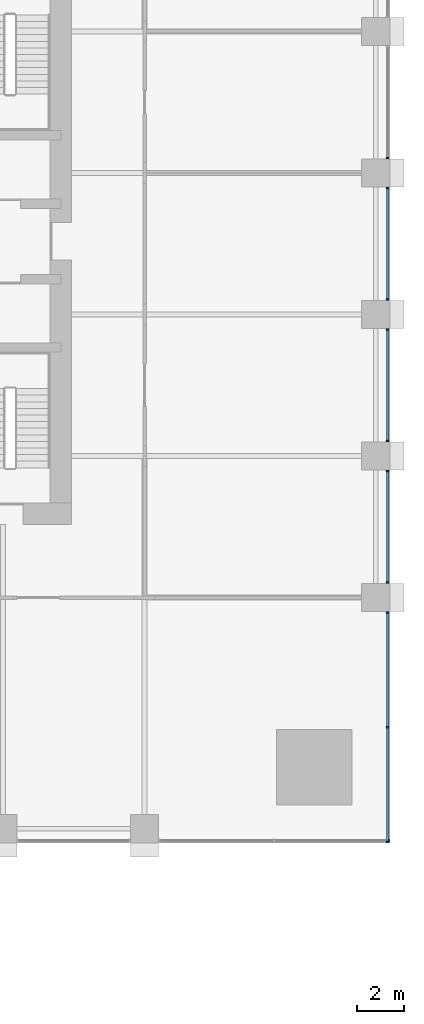
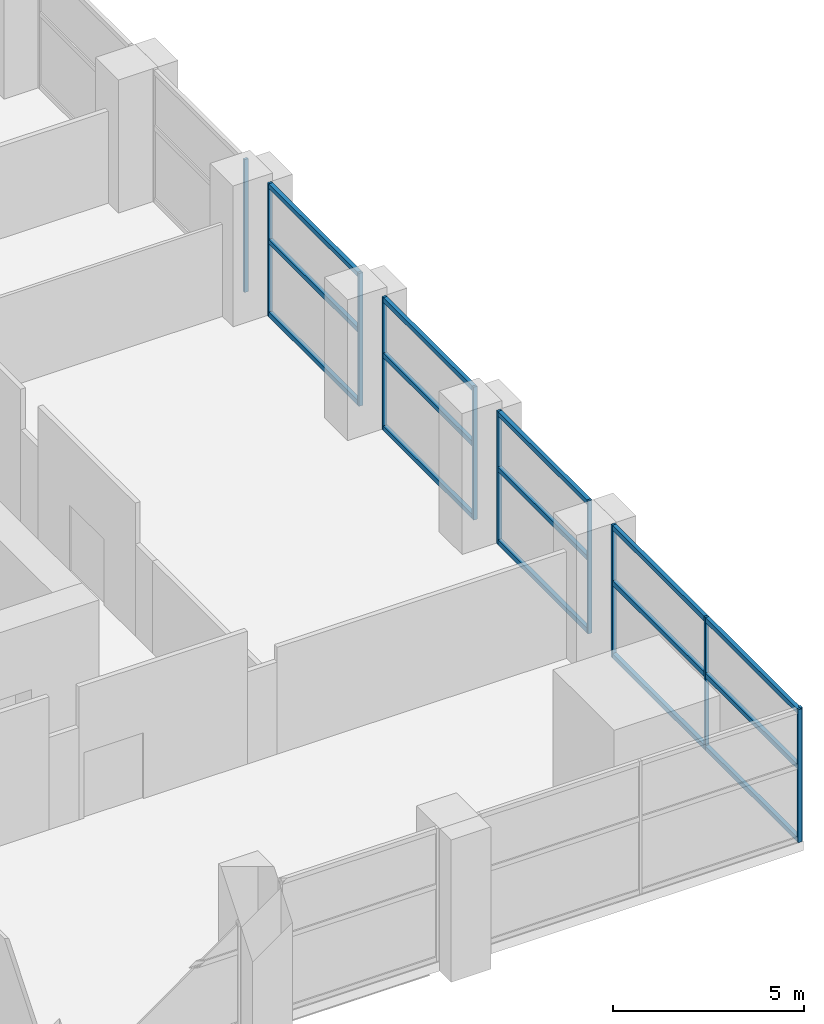
# One storey, part 6 of 24: 26 members, 6 elements without a shape of their own.
"""IFC4 building model written with IfcOpenShell, lengths in metres."""

from ifc_helpers import new_model, si_unit, direction, frame, origin, origin_2d, place, context, subcontext, project, spatial, rectangle, extrude, material, material_profile, profile_set, type_object, element, aggregate, save


model = new_model("IFC4")

# Units and contexts
model_context = context("Model", 3, precision=1e-05, world=origin(), true_north=direction((0.0, 1.0)))
body_context = subcontext(model_context, "Body", "Model", "MODEL_VIEW")
ifc_project = project(units=[si_unit("LENGTHUNIT", "METRE"), si_unit("AREAUNIT", "SQUARE_METRE"), si_unit("VOLUMEUNIT", "CUBIC_METRE"), si_unit("PLANEANGLEUNIT", "RADIAN"), si_unit("MASSUNIT", "GRAM", prefix="KILO")], contexts=[model_context])

# Site, building, storey
site_placement = place(None, origin())
site = spatial("IfcSite", under=ifc_project, at=site_placement, CompositionType="ELEMENT")
building_placement = place(site_placement, origin())
building = spatial("IfcBuilding", under=site, at=building_placement, Name="Amberfall Residences", CompositionType="ELEMENT")
storey_placement = place(building_placement, frame((0.0, 0.0, 19.0)))
storey = spatial("IfcBuildingStorey", under=building, at=storey_placement, Name="L04", CompositionType="ELEMENT", Elevation=19.0)

# Curtain wall, member
ifc_material_1 = material(Name="Bronze anodised aluminium and glass", Category="aluminium")
curtain_wall_type = type_object("IfcCurtainWallType", Name="Curtain wall CW4 podium storefront", PredefinedType="USERDEFINED", material=ifc_material_1)
curtain_wall_1_placement = place(storey_placement, origin())
curtain_wall_1 = element("IfcCurtainWall", 1, at=curtain_wall_1_placement, inside=storey, type_object=curtain_wall_type, Name="Storefront L04 S7", ObjectType="UNITISED CURTAIN WALL", PredefinedType="USERDEFINED")
ifc_material_2 = material(Name="Bronze anodised aluminium", Category="aluminium")
ifc_material_profile_1 = material_profile(ifc_material_2, rectangle(XDim=0.1201171875, YDim=0.070068359375, at=origin_2d()), Name="CW4 mullion 70 x 120 bronze")
ifc_profile_set_1 = profile_set([ifc_material_profile_1], Name="Bronze anodised aluminium")
member_type_1 = type_object("IfcMemberType", Name="CW4 mullion 70 x 120 bronze", PredefinedType="MULLION", material=ifc_profile_set_1)
member_1_placement = place(storey_placement, frame((99.965087890625, 20.10009765625, 0.0), z_axis=(0.0, 0.0, 1.0), x_axis=(0.0, 1.0, 0.0)))
member_1 = element("IfcMember", 2, at=member_1_placement, type_object=member_type_1, Name="CW4 mullion 3", PredefinedType="MULLION", context=body_context, shape_type="SweptSolid", body=[
    extrude(rectangle(XDim=0.1201171875, YDim=0.070068359375, at=origin_2d()), origin(), (0.0, 0.0, 1.0), 4.25),
])
aggregate(curtain_wall_1, [member_1])

# Curtain wall, members
curtain_wall_2_placement = place(storey_placement, origin())
curtain_wall_2 = element("IfcCurtainWall", 3, at=curtain_wall_2_placement, inside=storey, type_object=curtain_wall_type, Name="Storefront L04 E1", ObjectType="UNITISED CURTAIN WALL", PredefinedType="USERDEFINED")
member_2_placement = place(storey_placement, frame((99.89990234375, 20.034912109375, 0.0), z_axis=(0.0, 0.0, 1.0), x_axis=(-1.0, 0.0, 0.0)))
member_2 = element("IfcMember", 4, at=member_2_placement, type_object=member_type_1, Name="CW4 mullion 1", PredefinedType="MULLION", context=body_context, shape_type="SweptSolid", body=[
    extrude(rectangle(XDim=0.1201171875, YDim=0.070068359375, at=origin_2d()), origin(), (0.0, 0.0, 1.0), 4.25),
])
member_3_placement = place(storey_placement, frame((99.89990234375, 24.89990234375, 0.0), z_axis=(0.0, 0.0, 1.0), x_axis=(-1.0, 0.0, 0.0)))
member_3 = element("IfcMember", 5, at=member_3_placement, type_object=member_type_1, Name="CW4 mullion 2", PredefinedType="MULLION", context=body_context, shape_type="SweptSolid", body=[
    extrude(rectangle(XDim=0.1201171875, YDim=0.070068359375, at=origin_2d()), origin(), (0.0, 0.0, 1.0), 4.25),
])
member_4_placement = place(storey_placement, frame((99.89990234375, 29.764892578125, 0.0), z_axis=(0.0, 0.0, 1.0), x_axis=(-1.0, 0.0, 0.0)))
member_4 = element("IfcMember", 6, at=member_4_placement, type_object=member_type_1, Name="CW4 mullion 3", PredefinedType="MULLION", context=body_context, shape_type="SweptSolid", body=[
    extrude(rectangle(XDim=0.1201171875, YDim=0.070068359375, at=origin_2d()), origin(), (0.0, 0.0, 1.0), 4.25),
])

curtain_wall_3_placement = place(storey_placement, origin())
curtain_wall_3 = element("IfcCurtainWall", 7, at=curtain_wall_3_placement, inside=storey, type_object=curtain_wall_type, Name="Storefront L04 E2", ObjectType="UNITISED CURTAIN WALL", PredefinedType="USERDEFINED")
member_5_placement = place(storey_placement, frame((99.89990234375, 31.034912109375, 0.0), z_axis=(0.0, 0.0, 1.0), x_axis=(-1.0, 0.0, 0.0)))
member_5 = element("IfcMember", 8, at=member_5_placement, type_object=member_type_1, Name="CW4 mullion 1", PredefinedType="MULLION", context=body_context, shape_type="SweptSolid", body=[
    extrude(rectangle(XDim=0.1201171875, YDim=0.070068359375, at=origin_2d()), origin(), (0.0, 0.0, 1.0), 4.25),
])
member_6_placement = place(storey_placement, frame((99.89990234375, 35.764892578125, 0.0), z_axis=(0.0, 0.0, 1.0), x_axis=(-1.0, 0.0, 0.0)))
member_6 = element("IfcMember", 9, at=member_6_placement, type_object=member_type_1, Name="CW4 mullion 2", PredefinedType="MULLION", context=body_context, shape_type="SweptSolid", body=[
    extrude(rectangle(XDim=0.1201171875, YDim=0.070068359375, at=origin_2d()), origin(), (0.0, 0.0, 1.0), 4.25),
])

curtain_wall_4_placement = place(storey_placement, origin())
curtain_wall_4 = element("IfcCurtainWall", 10, at=curtain_wall_4_placement, inside=storey, type_object=curtain_wall_type, Name="Storefront L04 E3", ObjectType="UNITISED CURTAIN WALL", PredefinedType="USERDEFINED")
member_7_placement = place(storey_placement, frame((99.89990234375, 37.034912109375, 0.0), z_axis=(0.0, 0.0, 1.0), x_axis=(-1.0, 0.0, 0.0)))
member_7 = element("IfcMember", 11, at=member_7_placement, type_object=member_type_1, Name="CW4 mullion 1", PredefinedType="MULLION", context=body_context, shape_type="SweptSolid", body=[
    extrude(rectangle(XDim=0.1201171875, YDim=0.070068359375, at=origin_2d()), origin(), (0.0, 0.0, 1.0), 4.25),
])
member_8_placement = place(storey_placement, frame((99.89990234375, 41.764892578125, 0.0), z_axis=(0.0, 0.0, 1.0), x_axis=(-1.0, 0.0, 0.0)))
member_8 = element("IfcMember", 12, at=member_8_placement, type_object=member_type_1, Name="CW4 mullion 2", PredefinedType="MULLION", context=body_context, shape_type="SweptSolid", body=[
    extrude(rectangle(XDim=0.1201171875, YDim=0.070068359375, at=origin_2d()), origin(), (0.0, 0.0, 1.0), 4.25),
])

curtain_wall_5_placement = place(storey_placement, origin())
curtain_wall_5 = element("IfcCurtainWall", 13, at=curtain_wall_5_placement, inside=storey, type_object=curtain_wall_type, Name="Storefront L04 E4", ObjectType="UNITISED CURTAIN WALL", PredefinedType="USERDEFINED")
member_9_placement = place(storey_placement, frame((99.89990234375, 43.034912109375, 0.0), z_axis=(0.0, 0.0, 1.0), x_axis=(-1.0, 0.0, 0.0)))
member_9 = element("IfcMember", 14, at=member_9_placement, type_object=member_type_1, Name="CW4 mullion 1", PredefinedType="MULLION", context=body_context, shape_type="SweptSolid", body=[
    extrude(rectangle(XDim=0.1201171875, YDim=0.070068359375, at=origin_2d()), origin(), (0.0, 0.0, 1.0), 4.25),
])
member_10_placement = place(storey_placement, frame((99.89990234375, 47.764892578125, 0.0), z_axis=(0.0, 0.0, 1.0), x_axis=(-1.0, 0.0, 0.0)))
member_10 = element("IfcMember", 15, at=member_10_placement, type_object=member_type_1, Name="CW4 mullion 2", PredefinedType="MULLION", context=body_context, shape_type="SweptSolid", body=[
    extrude(rectangle(XDim=0.1201171875, YDim=0.070068359375, at=origin_2d()), origin(), (0.0, 0.0, 1.0), 4.25),
])

# Curtain wall, member
curtain_wall_6_placement = place(storey_placement, origin())
curtain_wall_6 = element("IfcCurtainWall", 16, at=curtain_wall_6_placement, inside=storey, type_object=curtain_wall_type, Name="Storefront L04 E5", ObjectType="UNITISED CURTAIN WALL", PredefinedType="USERDEFINED")
member_11_placement = place(storey_placement, frame((99.89990234375, 49.034912109375, 0.0), z_axis=(0.0, 0.0, 1.0), x_axis=(-1.0, 0.0, 0.0)))
member_11 = element("IfcMember", 17, at=member_11_placement, type_object=member_type_1, Name="CW4 mullion 1", PredefinedType="MULLION", context=body_context, shape_type="SweptSolid", body=[
    extrude(rectangle(XDim=0.1201171875, YDim=0.070068359375, at=origin_2d()), origin(), (0.0, 0.0, 1.0), 4.25),
])
aggregate(curtain_wall_6, [member_11])

# Member
ifc_material_profile_2 = material_profile(ifc_material_2, rectangle(XDim=0.1201171875, YDim=0.14990234375, at=origin_2d()), Name="CW4 transom 120 x 150 bronze")
ifc_profile_set_2 = profile_set([ifc_material_profile_2], Name="Bronze anodised aluminium")
member_type_2 = type_object("IfcMemberType", Name="CW4 transom 120 x 150 bronze", PredefinedType="USERDEFINED", material=ifc_profile_set_2)
member_12_placement = place(storey_placement, frame((99.89990234375, 20.070068359375, 0.074951171875), z_axis=(0.0, 1.0, 0.0), x_axis=(-1.0, 0.0, 0.0)))
member_12 = element("IfcMember", 18, at=member_12_placement, type_object=member_type_2, Name="CW4 transom 1.1", ObjectType="TRANSOM", PredefinedType="USERDEFINED", context=body_context, shape_type="SweptSolid", body=[
    extrude(rectangle(XDim=0.1201171875, YDim=0.14990234375, at=origin_2d()), origin(), (0.0, 0.0, 1.0), 4.794921875),
])

member_13_placement = place(storey_placement, frame((99.89990234375, 20.070068359375, 2.39990234375), z_axis=(0.0, 1.0, 0.0), x_axis=(-1.0, 0.0, 0.0)))
member_13 = element("IfcMember", 19, at=member_13_placement, type_object=member_type_2, Name="CW4 transom 1.2", ObjectType="TRANSOM", PredefinedType="USERDEFINED", context=body_context, shape_type="SweptSolid", body=[
    extrude(rectangle(XDim=0.1201171875, YDim=0.14990234375, at=origin_2d()), origin(), (0.0, 0.0, 1.0), 4.794921875),
])

member_14_placement = place(storey_placement, frame((99.89990234375, 20.070068359375, 4.175048828125), z_axis=(0.0, 1.0, 0.0), x_axis=(-1.0, 0.0, 0.0)))
member_14 = element("IfcMember", 20, at=member_14_placement, type_object=member_type_2, Name="CW4 transom 1.3", ObjectType="TRANSOM", PredefinedType="USERDEFINED", context=body_context, shape_type="SweptSolid", body=[
    extrude(rectangle(XDim=0.1201171875, YDim=0.14990234375, at=origin_2d()), origin(), (0.0, 0.0, 1.0), 4.794921875),
])

member_15_placement = place(storey_placement, frame((99.89990234375, 24.93505859375, 0.074951171875), z_axis=(0.0, 1.0, 0.0), x_axis=(-1.0, 0.0, 0.0)))
member_15 = element("IfcMember", 21, at=member_15_placement, type_object=member_type_2, Name="CW4 transom 2.1", ObjectType="TRANSOM", PredefinedType="USERDEFINED", context=body_context, shape_type="SweptSolid", body=[
    extrude(rectangle(XDim=0.1201171875, YDim=0.14990234375, at=origin_2d()), origin(), (0.0, 0.0, 1.0), 4.794921875),
])

member_16_placement = place(storey_placement, frame((99.89990234375, 24.93505859375, 2.39990234375), z_axis=(0.0, 1.0, 0.0), x_axis=(-1.0, 0.0, 0.0)))
member_16 = element("IfcMember", 22, at=member_16_placement, type_object=member_type_2, Name="CW4 transom 2.2", ObjectType="TRANSOM", PredefinedType="USERDEFINED", context=body_context, shape_type="SweptSolid", body=[
    extrude(rectangle(XDim=0.1201171875, YDim=0.14990234375, at=origin_2d()), origin(), (0.0, 0.0, 1.0), 4.794921875),
])

member_17_placement = place(storey_placement, frame((99.89990234375, 24.93505859375, 4.175048828125), z_axis=(0.0, 1.0, 0.0), x_axis=(-1.0, 0.0, 0.0)))
member_17 = element("IfcMember", 23, at=member_17_placement, type_object=member_type_2, Name="CW4 transom 2.3", ObjectType="TRANSOM", PredefinedType="USERDEFINED", context=body_context, shape_type="SweptSolid", body=[
    extrude(rectangle(XDim=0.1201171875, YDim=0.14990234375, at=origin_2d()), origin(), (0.0, 0.0, 1.0), 4.794921875),
])

aggregate(curtain_wall_2, [member_2, member_3, member_4, member_12, member_13, member_14, member_15, member_16, member_17])

member_18_placement = place(storey_placement, frame((99.89990234375, 31.070068359375, 0.074951171875), z_axis=(0.0, 1.0, 0.0), x_axis=(-1.0, 0.0, 0.0)))
member_18 = element("IfcMember", 24, at=member_18_placement, type_object=member_type_2, Name="CW4 transom 1.1", ObjectType="TRANSOM", PredefinedType="USERDEFINED", context=body_context, shape_type="SweptSolid", body=[
    extrude(rectangle(XDim=0.1201171875, YDim=0.14990234375, at=origin_2d()), origin(), (0.0, 0.0, 1.0), 4.659912109375),
])

member_19_placement = place(storey_placement, frame((99.89990234375, 31.070068359375, 2.39990234375), z_axis=(0.0, 1.0, 0.0), x_axis=(-1.0, 0.0, 0.0)))
member_19 = element("IfcMember", 25, at=member_19_placement, type_object=member_type_2, Name="CW4 transom 1.2", ObjectType="TRANSOM", PredefinedType="USERDEFINED", context=body_context, shape_type="SweptSolid", body=[
    extrude(rectangle(XDim=0.1201171875, YDim=0.14990234375, at=origin_2d()), origin(), (0.0, 0.0, 1.0), 4.659912109375),
])

member_20_placement = place(storey_placement, frame((99.89990234375, 31.070068359375, 4.175048828125), z_axis=(0.0, 1.0, 0.0), x_axis=(-1.0, 0.0, 0.0)))
member_20 = element("IfcMember", 26, at=member_20_placement, type_object=member_type_2, Name="CW4 transom 1.3", ObjectType="TRANSOM", PredefinedType="USERDEFINED", context=body_context, shape_type="SweptSolid", body=[
    extrude(rectangle(XDim=0.1201171875, YDim=0.14990234375, at=origin_2d()), origin(), (0.0, 0.0, 1.0), 4.659912109375),
])

aggregate(curtain_wall_3, [member_5, member_6, member_18, member_19, member_20])

member_21_placement = place(storey_placement, frame((99.89990234375, 37.070068359375, 0.074951171875), z_axis=(0.0, 1.0, 0.0), x_axis=(-1.0, 0.0, 0.0)))
member_21 = element("IfcMember", 27, at=member_21_placement, type_object=member_type_2, Name="CW4 transom 1.1", ObjectType="TRANSOM", PredefinedType="USERDEFINED", context=body_context, shape_type="SweptSolid", body=[
    extrude(rectangle(XDim=0.1201171875, YDim=0.14990234375, at=origin_2d()), origin(), (0.0, 0.0, 1.0), 4.659912109375),
])

member_22_placement = place(storey_placement, frame((99.89990234375, 37.070068359375, 2.39990234375), z_axis=(0.0, 1.0, 0.0), x_axis=(-1.0, 0.0, 0.0)))
member_22 = element("IfcMember", 28, at=member_22_placement, type_object=member_type_2, Name="CW4 transom 1.2", ObjectType="TRANSOM", PredefinedType="USERDEFINED", context=body_context, shape_type="SweptSolid", body=[
    extrude(rectangle(XDim=0.1201171875, YDim=0.14990234375, at=origin_2d()), origin(), (0.0, 0.0, 1.0), 4.659912109375),
])

member_23_placement = place(storey_placement, frame((99.89990234375, 37.070068359375, 4.175048828125), z_axis=(0.0, 1.0, 0.0), x_axis=(-1.0, 0.0, 0.0)))
member_23 = element("IfcMember", 29, at=member_23_placement, type_object=member_type_2, Name="CW4 transom 1.3", ObjectType="TRANSOM", PredefinedType="USERDEFINED", context=body_context, shape_type="SweptSolid", body=[
    extrude(rectangle(XDim=0.1201171875, YDim=0.14990234375, at=origin_2d()), origin(), (0.0, 0.0, 1.0), 4.659912109375),
])

aggregate(curtain_wall_4, [member_7, member_8, member_21, member_22, member_23])

member_24_placement = place(storey_placement, frame((99.89990234375, 43.070068359375, 0.074951171875), z_axis=(0.0, 1.0, 0.0), x_axis=(-1.0, 0.0, 0.0)))
member_24 = element("IfcMember", 30, at=member_24_placement, type_object=member_type_2, Name="CW4 transom 1.1", ObjectType="TRANSOM", PredefinedType="USERDEFINED", context=body_context, shape_type="SweptSolid", body=[
    extrude(rectangle(XDim=0.1201171875, YDim=0.14990234375, at=origin_2d()), origin(), (0.0, 0.0, 1.0), 4.659912109375),
])

member_25_placement = place(storey_placement, frame((99.89990234375, 43.070068359375, 2.39990234375), z_axis=(0.0, 1.0, 0.0), x_axis=(-1.0, 0.0, 0.0)))
member_25 = element("IfcMember", 31, at=member_25_placement, type_object=member_type_2, Name="CW4 transom 1.2", ObjectType="TRANSOM", PredefinedType="USERDEFINED", context=body_context, shape_type="SweptSolid", body=[
    extrude(rectangle(XDim=0.1201171875, YDim=0.14990234375, at=origin_2d()), origin(), (0.0, 0.0, 1.0), 4.659912109375),
])

member_26_placement = place(storey_placement, frame((99.89990234375, 43.070068359375, 4.175048828125), z_axis=(0.0, 1.0, 0.0), x_axis=(-1.0, 0.0, 0.0)))
member_26 = element("IfcMember", 32, at=member_26_placement, type_object=member_type_2, Name="CW4 transom 1.3", ObjectType="TRANSOM", PredefinedType="USERDEFINED", context=body_context, shape_type="SweptSolid", body=[
    extrude(rectangle(XDim=0.1201171875, YDim=0.14990234375, at=origin_2d()), origin(), (0.0, 0.0, 1.0), 4.659912109375),
])

aggregate(curtain_wall_5, [member_9, member_10, member_24, member_25, member_26])

save(model, "model.ifc")
